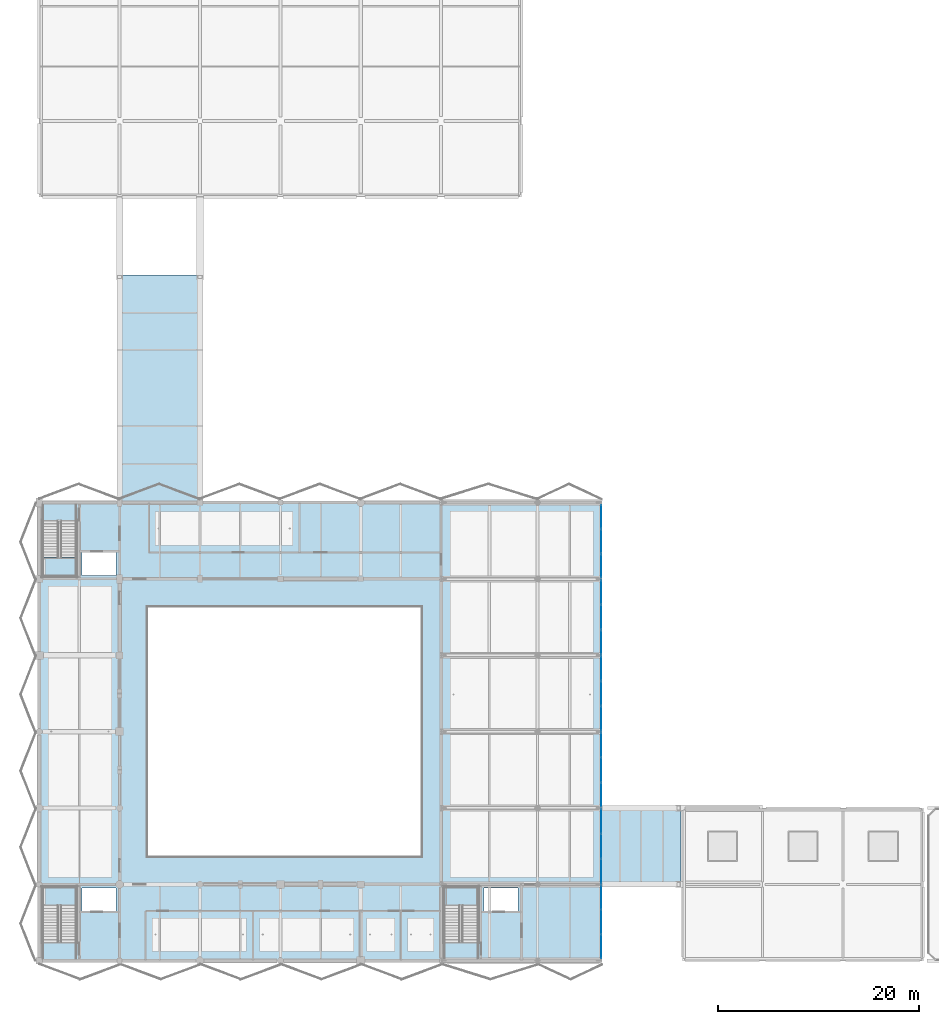
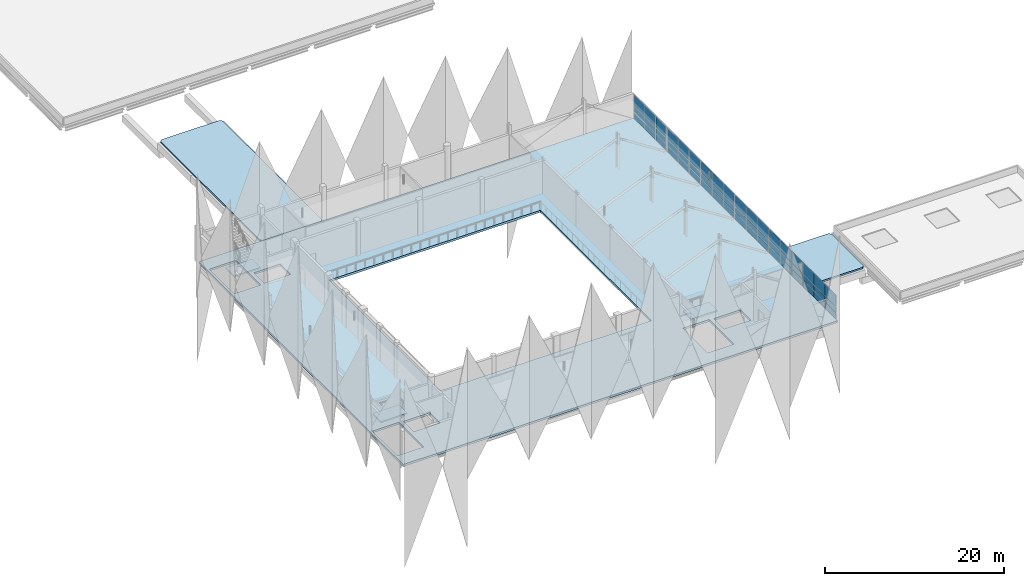
# One storey, part 58 of 107: 54 plates, 6 slabs, 9 elements without a shape of their own.
"""IFC4 building model written with IfcOpenShell, lengths in metres."""

from ifc_helpers import new_model, si_unit, direction, frame, origin, origin_2d, place, context, subcontext, project, spatial, polyline, rectangle, outline, extrude, material, layer, layer_set, type_object, element, aggregate, save


model = new_model("IFC4")

# Units and contexts
model_context = context("Model", 3, precision=1e-05, world=origin(), true_north=direction((0.0, 1.0)))
body_context = subcontext(model_context, "Body", "Model", "MODEL_VIEW")
ifc_project = project(units=[si_unit("LENGTHUNIT", "METRE"), si_unit("AREAUNIT", "SQUARE_METRE"), si_unit("VOLUMEUNIT", "CUBIC_METRE"), si_unit("PLANEANGLEUNIT", "RADIAN"), si_unit("MASSUNIT", "GRAM", prefix="KILO")], contexts=[model_context])

# Site, building, storey
site_placement = place(None, origin())
site = spatial("IfcSite", under=ifc_project, at=site_placement, CompositionType="ELEMENT")
building_placement = place(site_placement, origin())
building = spatial("IfcBuilding", under=site, at=building_placement, Name="Khelvaren Railside Concert Hall", CompositionType="ELEMENT")
storey_placement = place(building_placement, frame((0.0, 0.0, 15.0)))
storey = spatial("IfcBuildingStorey", under=building, at=storey_placement, Name="L03", CompositionType="ELEMENT", Elevation=15.0)

# Curtain wall, plates
ifc_material_1 = material(Name="Double-glazed clear foyer glass", Category="glass")
curtain_wall_type_1 = type_object("IfcCurtainWallType", Name="CW68", PredefinedType="USERDEFINED", material=ifc_material_1)
curtain_wall_1_placement = place(storey_placement, origin())
curtain_wall_1 = element("IfcCurtainWall", 1, at=curtain_wall_1_placement, inside=storey, type_object=curtain_wall_type_1, Name="Unitised Curtain Wall CW-V1-L03-E-15", ObjectType="UNITISED CURTAIN WALL", PredefinedType="USERDEFINED")
ifc_layer_1 = layer(ifc_material_1, 0.0439453125)
ifc_layer_set_1 = layer_set([ifc_layer_1], Name="Double-glazed clear foyer glass")
plate_type_1 = type_object("IfcPlateType", Name="CWP33", PredefinedType="CURTAIN_PANEL", material=ifc_layer_set_1)
plate_1_placement = place(storey_placement, frame((55.93994140625, 21.488037109375, 0.06494140625), z_axis=(0.0, 0.0, 1.0), x_axis=(0.0, -1.0, 0.0)))
plate_1 = element("IfcPlate", 2, at=plate_1_placement, type_object=plate_type_1, Name="CW68 panel 1.1", PredefinedType="CURTAIN_PANEL", context=body_context, shape_type="SweptSolid", body=[
    extrude(rectangle(XDim=2.394287109375, YDim=0.0439453125, at=origin_2d()), origin(), (0.0, 0.0, 1.0), 0.8525390625),
])
plate_2_placement = place(storey_placement, frame((55.93994140625, 21.488037109375, 0.982421875), z_axis=(0.0, 0.0, 1.0), x_axis=(0.0, -1.0, 0.0)))
plate_2 = element("IfcPlate", 3, at=plate_2_placement, type_object=plate_type_1, Name="CW68 panel 1.2", PredefinedType="CURTAIN_PANEL", context=body_context, shape_type="SweptSolid", body=[
    extrude(rectangle(XDim=2.394287109375, YDim=0.0439453125, at=origin_2d()), origin(), (0.0, 0.0, 1.0), 0.763427734375),
])
plate_3_placement = place(storey_placement, frame((55.93994140625, 21.488037109375, 1.81103515625), z_axis=(0.0, 0.0, 1.0), x_axis=(0.0, -1.0, 0.0)))
plate_3 = element("IfcPlate", 4, at=plate_3_placement, type_object=plate_type_1, Name="CW68 panel 1.3", PredefinedType="CURTAIN_PANEL", context=body_context, shape_type="SweptSolid", body=[
    extrude(rectangle(XDim=2.394287109375, YDim=0.0439453125, at=origin_2d()), origin(), (0.0, 0.0, 1.0), 1.544189453125),
])
plate_4_placement = place(storey_placement, frame((55.93994140625, 19.0, 0.06494140625), z_axis=(0.0, 0.0, 1.0), x_axis=(0.0, -1.0, 0.0)))
plate_4 = element("IfcPlate", 5, at=plate_4_placement, type_object=plate_type_1, Name="CW68 panel 2.1", PredefinedType="CURTAIN_PANEL", context=body_context, shape_type="SweptSolid", body=[
    extrude(rectangle(XDim=2.431640625, YDim=0.0439453125, at=origin_2d()), origin(), (0.0, 0.0, 1.0), 0.8525390625),
])
plate_5_placement = place(storey_placement, frame((55.93994140625, 19.0, 0.982421875), z_axis=(0.0, 0.0, 1.0), x_axis=(0.0, -1.0, 0.0)))
plate_5 = element("IfcPlate", 6, at=plate_5_placement, type_object=plate_type_1, Name="CW68 panel 2.2", PredefinedType="CURTAIN_PANEL", context=body_context, shape_type="SweptSolid", body=[
    extrude(rectangle(XDim=2.431640625, YDim=0.0439453125, at=origin_2d()), origin(), (0.0, 0.0, 1.0), 0.763427734375),
])
plate_6_placement = place(storey_placement, frame((55.93994140625, 19.0, 1.81103515625), z_axis=(0.0, 0.0, 1.0), x_axis=(0.0, -1.0, 0.0)))
plate_6 = element("IfcPlate", 7, at=plate_6_placement, type_object=plate_type_1, Name="CW68 panel 2.3", PredefinedType="CURTAIN_PANEL", context=body_context, shape_type="SweptSolid", body=[
    extrude(rectangle(XDim=2.431640625, YDim=0.0439453125, at=origin_2d()), origin(), (0.0, 0.0, 1.0), 1.544189453125),
])
plate_7_placement = place(storey_placement, frame((55.93994140625, 16.511962890625, 0.06494140625), z_axis=(0.0, 0.0, 1.0), x_axis=(0.0, -1.0, 0.0)))
plate_7 = element("IfcPlate", 8, at=plate_7_placement, type_object=plate_type_1, Name="CW68 panel 3.1", PredefinedType="CURTAIN_PANEL", context=body_context, shape_type="SweptSolid", body=[
    extrude(rectangle(XDim=2.394287109375, YDim=0.0439453125, at=origin_2d()), origin(), (0.0, 0.0, 1.0), 0.8525390625),
])
plate_8_placement = place(storey_placement, frame((55.93994140625, 16.511962890625, 0.982421875), z_axis=(0.0, 0.0, 1.0), x_axis=(0.0, -1.0, 0.0)))
plate_8 = element("IfcPlate", 9, at=plate_8_placement, type_object=plate_type_1, Name="CW68 panel 3.2", PredefinedType="CURTAIN_PANEL", context=body_context, shape_type="SweptSolid", body=[
    extrude(rectangle(XDim=2.394287109375, YDim=0.0439453125, at=origin_2d()), origin(), (0.0, 0.0, 1.0), 0.763427734375),
])
plate_9_placement = place(storey_placement, frame((55.93994140625, 16.511962890625, 1.81103515625), z_axis=(0.0, 0.0, 1.0), x_axis=(0.0, -1.0, 0.0)))
plate_9 = element("IfcPlate", 10, at=plate_9_placement, type_object=plate_type_1, Name="CW68 panel 3.3", PredefinedType="CURTAIN_PANEL", context=body_context, shape_type="SweptSolid", body=[
    extrude(rectangle(XDim=2.394287109375, YDim=0.0439453125, at=origin_2d()), origin(), (0.0, 0.0, 1.0), 1.544189453125),
])
aggregate(curtain_wall_1, [plate_1, plate_2, plate_3, plate_4, plate_5, plate_6, plate_7, plate_8, plate_9])

curtain_wall_type_2 = type_object("IfcCurtainWallType", Name="CW70", PredefinedType="USERDEFINED", material=ifc_material_1)
curtain_wall_2_placement = place(storey_placement, origin())
curtain_wall_2 = element("IfcCurtainWall", 11, at=curtain_wall_2_placement, inside=storey, type_object=curtain_wall_type_2, Name="Unitised Curtain Wall CW-V1-L03-E-23", ObjectType="UNITISED CURTAIN WALL", PredefinedType="USERDEFINED")
plate_10_placement = place(storey_placement, frame((55.93994140625, 29.087890625, 0.06494140625), z_axis=(0.0, 0.0, 1.0), x_axis=(0.0, -1.0, 0.0)))
plate_10 = element("IfcPlate", 12, at=plate_10_placement, type_object=plate_type_1, Name="CW70 panel 1.1", PredefinedType="CURTAIN_PANEL", context=body_context, shape_type="SweptSolid", body=[
    extrude(rectangle(XDim=2.394287109375, YDim=0.0439453125, at=origin_2d()), origin(), (0.0, 0.0, 1.0), 0.8525390625),
])
plate_11_placement = place(storey_placement, frame((55.93994140625, 29.087890625, 0.982421875), z_axis=(0.0, 0.0, 1.0), x_axis=(0.0, -1.0, 0.0)))
plate_11 = element("IfcPlate", 13, at=plate_11_placement, type_object=plate_type_1, Name="CW70 panel 1.2", PredefinedType="CURTAIN_PANEL", context=body_context, shape_type="SweptSolid", body=[
    extrude(rectangle(XDim=2.394287109375, YDim=0.0439453125, at=origin_2d()), origin(), (0.0, 0.0, 1.0), 0.763427734375),
])
plate_12_placement = place(storey_placement, frame((55.93994140625, 29.087890625, 1.81103515625), z_axis=(0.0, 0.0, 1.0), x_axis=(0.0, -1.0, 0.0)))
plate_12 = element("IfcPlate", 14, at=plate_12_placement, type_object=plate_type_1, Name="CW70 panel 1.3", PredefinedType="CURTAIN_PANEL", context=body_context, shape_type="SweptSolid", body=[
    extrude(rectangle(XDim=2.394287109375, YDim=0.0439453125, at=origin_2d()), origin(), (0.0, 0.0, 1.0), 1.544189453125),
])
plate_13_placement = place(storey_placement, frame((55.93994140625, 26.60009765625, 0.06494140625), z_axis=(0.0, 0.0, 1.0), x_axis=(0.0, -1.0, 0.0)))
plate_13 = element("IfcPlate", 15, at=plate_13_placement, type_object=plate_type_1, Name="CW70 panel 2.1", PredefinedType="CURTAIN_PANEL", context=body_context, shape_type="SweptSolid", body=[
    extrude(rectangle(XDim=2.431640625, YDim=0.0439453125, at=origin_2d()), origin(), (0.0, 0.0, 1.0), 0.8525390625),
])
plate_14_placement = place(storey_placement, frame((55.93994140625, 26.60009765625, 0.982421875), z_axis=(0.0, 0.0, 1.0), x_axis=(0.0, -1.0, 0.0)))
plate_14 = element("IfcPlate", 16, at=plate_14_placement, type_object=plate_type_1, Name="CW70 panel 2.2", PredefinedType="CURTAIN_PANEL", context=body_context, shape_type="SweptSolid", body=[
    extrude(rectangle(XDim=2.431640625, YDim=0.0439453125, at=origin_2d()), origin(), (0.0, 0.0, 1.0), 0.763427734375),
])
plate_15_placement = place(storey_placement, frame((55.93994140625, 26.60009765625, 1.81103515625), z_axis=(0.0, 0.0, 1.0), x_axis=(0.0, -1.0, 0.0)))
plate_15 = element("IfcPlate", 17, at=plate_15_placement, type_object=plate_type_1, Name="CW70 panel 2.3", PredefinedType="CURTAIN_PANEL", context=body_context, shape_type="SweptSolid", body=[
    extrude(rectangle(XDim=2.431640625, YDim=0.0439453125, at=origin_2d()), origin(), (0.0, 0.0, 1.0), 1.544189453125),
])
plate_16_placement = place(storey_placement, frame((55.93994140625, 24.112060546875, 0.06494140625), z_axis=(0.0, 0.0, 1.0), x_axis=(0.0, -1.0, 0.0)))
plate_16 = element("IfcPlate", 18, at=plate_16_placement, type_object=plate_type_1, Name="CW70 panel 3.1", PredefinedType="CURTAIN_PANEL", context=body_context, shape_type="SweptSolid", body=[
    extrude(rectangle(XDim=2.394287109375, YDim=0.0439453125, at=origin_2d()), origin(), (0.0, 0.0, 1.0), 0.8525390625),
])
plate_17_placement = place(storey_placement, frame((55.93994140625, 24.112060546875, 0.982421875), z_axis=(0.0, 0.0, 1.0), x_axis=(0.0, -1.0, 0.0)))
plate_17 = element("IfcPlate", 19, at=plate_17_placement, type_object=plate_type_1, Name="CW70 panel 3.2", PredefinedType="CURTAIN_PANEL", context=body_context, shape_type="SweptSolid", body=[
    extrude(rectangle(XDim=2.394287109375, YDim=0.0439453125, at=origin_2d()), origin(), (0.0, 0.0, 1.0), 0.763427734375),
])
plate_18_placement = place(storey_placement, frame((55.93994140625, 24.112060546875, 1.81103515625), z_axis=(0.0, 0.0, 1.0), x_axis=(0.0, -1.0, 0.0)))
plate_18 = element("IfcPlate", 20, at=plate_18_placement, type_object=plate_type_1, Name="CW70 panel 3.3", PredefinedType="CURTAIN_PANEL", context=body_context, shape_type="SweptSolid", body=[
    extrude(rectangle(XDim=2.394287109375, YDim=0.0439453125, at=origin_2d()), origin(), (0.0, 0.0, 1.0), 1.544189453125),
])
aggregate(curtain_wall_2, [plate_10, plate_11, plate_12, plate_13, plate_14, plate_15, plate_16, plate_17, plate_18])

ifc_material_2 = material(Name="Acoustic laminated crystal facade glass", Category="glass")
curtain_wall_type_3 = type_object("IfcCurtainWallType", Name="CW21", PredefinedType="USERDEFINED", material=ifc_material_2)
curtain_wall_3_placement = place(storey_placement, origin())
curtain_wall_3 = element("IfcCurtainWall", 21, at=curtain_wall_3_placement, inside=storey, type_object=curtain_wall_type_3, Name="Unitised Curtain Wall CW-V1-L03-E-30", ObjectType="UNITISED CURTAIN WALL", PredefinedType="USERDEFINED")
ifc_layer_2 = layer(ifc_material_2, 0.0400390625)
ifc_layer_set_2 = layer_set([ifc_layer_2], Name="Acoustic laminated crystal facade glass")
plate_type_2 = type_object("IfcPlateType", Name="CWP77", PredefinedType="CURTAIN_PANEL", material=ifc_layer_set_2)
plate_19_placement = place(storey_placement, frame((55.93994140625, 36.685302734375, 0.0849609375), z_axis=(0.0, 0.0, 1.0), x_axis=(0.0, -1.0, 0.0)))
plate_19 = element("IfcPlate", 22, at=plate_19_placement, type_object=plate_type_2, Name="CW21 panel 1.1", PredefinedType="CURTAIN_PANEL", context=body_context, shape_type="SweptSolid", body=[
    extrude(rectangle(XDim=2.379150390625, YDim=0.0400390625, at=origin_2d()), origin(), (0.0, 0.0, 1.0), 0.822509765625),
])
plate_20_placement = place(storey_placement, frame((55.93994140625, 36.685302734375, 0.99267578125), z_axis=(0.0, 0.0, 1.0), x_axis=(0.0, -1.0, 0.0)))
plate_20 = element("IfcPlate", 23, at=plate_20_placement, type_object=plate_type_2, Name="CW21 panel 1.2", PredefinedType="CURTAIN_PANEL", context=body_context, shape_type="SweptSolid", body=[
    extrude(rectangle(XDim=2.379150390625, YDim=0.0400390625, at=origin_2d()), origin(), (0.0, 0.0, 1.0), 0.743408203125),
])
plate_21_placement = place(storey_placement, frame((55.93994140625, 36.685302734375, 1.82080078125), z_axis=(0.0, 0.0, 1.0), x_axis=(0.0, -1.0, 0.0)))
plate_21 = element("IfcPlate", 24, at=plate_21_placement, type_object=plate_type_2, Name="CW21 panel 1.3", PredefinedType="CURTAIN_PANEL", context=body_context, shape_type="SweptSolid", body=[
    extrude(rectangle(XDim=2.379150390625, YDim=0.0400390625, at=origin_2d()), origin(), (0.0, 0.0, 1.0), 1.51416015625),
])
plate_22_placement = place(storey_placement, frame((55.93994140625, 34.199951171875, 0.0849609375), z_axis=(0.0, 0.0, 1.0), x_axis=(0.0, -1.0, 0.0)))
plate_22 = element("IfcPlate", 25, at=plate_22_placement, type_object=plate_type_2, Name="CW21 panel 2.1", PredefinedType="CURTAIN_PANEL", context=body_context, shape_type="SweptSolid", body=[
    extrude(rectangle(XDim=2.421630859375, YDim=0.0400390625, at=origin_2d()), origin(), (0.0, 0.0, 1.0), 0.822509765625),
])
plate_23_placement = place(storey_placement, frame((55.93994140625, 34.199951171875, 0.99267578125), z_axis=(0.0, 0.0, 1.0), x_axis=(0.0, -1.0, 0.0)))
plate_23 = element("IfcPlate", 26, at=plate_23_placement, type_object=plate_type_2, Name="CW21 panel 2.2", PredefinedType="CURTAIN_PANEL", context=body_context, shape_type="SweptSolid", body=[
    extrude(rectangle(XDim=2.421630859375, YDim=0.0400390625, at=origin_2d()), origin(), (0.0, 0.0, 1.0), 0.743408203125),
])
plate_24_placement = place(storey_placement, frame((55.93994140625, 34.199951171875, 1.82080078125), z_axis=(0.0, 0.0, 1.0), x_axis=(0.0, -1.0, 0.0)))
plate_24 = element("IfcPlate", 27, at=plate_24_placement, type_object=plate_type_2, Name="CW21 panel 2.3", PredefinedType="CURTAIN_PANEL", context=body_context, shape_type="SweptSolid", body=[
    extrude(rectangle(XDim=2.421630859375, YDim=0.0400390625, at=origin_2d()), origin(), (0.0, 0.0, 1.0), 1.51416015625),
])
plate_25_placement = place(storey_placement, frame((55.93994140625, 31.714599609375, 0.0849609375), z_axis=(0.0, 0.0, 1.0), x_axis=(0.0, -1.0, 0.0)))
plate_25 = element("IfcPlate", 28, at=plate_25_placement, type_object=plate_type_2, Name="CW21 panel 3.1", PredefinedType="CURTAIN_PANEL", context=body_context, shape_type="SweptSolid", body=[
    extrude(rectangle(XDim=2.379150390625, YDim=0.0400390625, at=origin_2d()), origin(), (0.0, 0.0, 1.0), 0.822509765625),
])
plate_26_placement = place(storey_placement, frame((55.93994140625, 31.714599609375, 0.99267578125), z_axis=(0.0, 0.0, 1.0), x_axis=(0.0, -1.0, 0.0)))
plate_26 = element("IfcPlate", 29, at=plate_26_placement, type_object=plate_type_2, Name="CW21 panel 3.2", PredefinedType="CURTAIN_PANEL", context=body_context, shape_type="SweptSolid", body=[
    extrude(rectangle(XDim=2.379150390625, YDim=0.0400390625, at=origin_2d()), origin(), (0.0, 0.0, 1.0), 0.743408203125),
])
plate_27_placement = place(storey_placement, frame((55.93994140625, 31.714599609375, 1.82080078125), z_axis=(0.0, 0.0, 1.0), x_axis=(0.0, -1.0, 0.0)))
plate_27 = element("IfcPlate", 30, at=plate_27_placement, type_object=plate_type_2, Name="CW21 panel 3.3", PredefinedType="CURTAIN_PANEL", context=body_context, shape_type="SweptSolid", body=[
    extrude(rectangle(XDim=2.379150390625, YDim=0.0400390625, at=origin_2d()), origin(), (0.0, 0.0, 1.0), 1.51416015625),
])
aggregate(curtain_wall_3, [plate_19, plate_20, plate_21, plate_22, plate_23, plate_24, plate_25, plate_26, plate_27])

curtain_wall_type_4 = type_object("IfcCurtainWallType", Name="CW15", PredefinedType="USERDEFINED", material=ifc_material_2)
curtain_wall_4_placement = place(storey_placement, origin())
curtain_wall_4 = element("IfcCurtainWall", 31, at=curtain_wall_4_placement, inside=storey, type_object=curtain_wall_type_4, Name="Unitised Curtain Wall CW-V1-L03-E-38", ObjectType="UNITISED CURTAIN WALL", PredefinedType="USERDEFINED")
plate_28_placement = place(storey_placement, frame((55.93994140625, 44.185302734375, 0.0849609375), z_axis=(0.0, 0.0, 1.0), x_axis=(0.0, -1.0, 0.0)))
plate_28 = element("IfcPlate", 32, at=plate_28_placement, type_object=plate_type_2, Name="CW15 panel 1.1", PredefinedType="CURTAIN_PANEL", context=body_context, shape_type="SweptSolid", body=[
    extrude(rectangle(XDim=2.339111328125, YDim=0.0400390625, at=origin_2d()), origin(), (0.0, 0.0, 1.0), 0.822509765625),
])
plate_29_placement = place(storey_placement, frame((55.93994140625, 44.185302734375, 0.99267578125), z_axis=(0.0, 0.0, 1.0), x_axis=(0.0, -1.0, 0.0)))
plate_29 = element("IfcPlate", 33, at=plate_29_placement, type_object=plate_type_2, Name="CW15 panel 1.2", PredefinedType="CURTAIN_PANEL", context=body_context, shape_type="SweptSolid", body=[
    extrude(rectangle(XDim=2.339111328125, YDim=0.0400390625, at=origin_2d()), origin(), (0.0, 0.0, 1.0), 0.743408203125),
])
plate_30_placement = place(storey_placement, frame((55.93994140625, 44.185302734375, 1.82080078125), z_axis=(0.0, 0.0, 1.0), x_axis=(0.0, -1.0, 0.0)))
plate_30 = element("IfcPlate", 34, at=plate_30_placement, type_object=plate_type_2, Name="CW15 panel 1.3", PredefinedType="CURTAIN_PANEL", context=body_context, shape_type="SweptSolid", body=[
    extrude(rectangle(XDim=2.339111328125, YDim=0.0400390625, at=origin_2d()), origin(), (0.0, 0.0, 1.0), 1.51416015625),
])
plate_31_placement = place(storey_placement, frame((55.93994140625, 41.739990234375, 0.0849609375), z_axis=(0.0, 0.0, 1.0), x_axis=(0.0, -1.0, 0.0)))
plate_31 = element("IfcPlate", 35, at=plate_31_placement, type_object=plate_type_2, Name="CW15 panel 2.1", PredefinedType="CURTAIN_PANEL", context=body_context, shape_type="SweptSolid", body=[
    extrude(rectangle(XDim=2.381591796875, YDim=0.0400390625, at=origin_2d()), origin(), (0.0, 0.0, 1.0), 0.822509765625),
])
plate_32_placement = place(storey_placement, frame((55.93994140625, 41.739990234375, 0.99267578125), z_axis=(0.0, 0.0, 1.0), x_axis=(0.0, -1.0, 0.0)))
plate_32 = element("IfcPlate", 36, at=plate_32_placement, type_object=plate_type_2, Name="CW15 panel 2.2", PredefinedType="CURTAIN_PANEL", context=body_context, shape_type="SweptSolid", body=[
    extrude(rectangle(XDim=2.381591796875, YDim=0.0400390625, at=origin_2d()), origin(), (0.0, 0.0, 1.0), 0.743408203125),
])
plate_33_placement = place(storey_placement, frame((55.93994140625, 41.739990234375, 1.82080078125), z_axis=(0.0, 0.0, 1.0), x_axis=(0.0, -1.0, 0.0)))
plate_33 = element("IfcPlate", 37, at=plate_33_placement, type_object=plate_type_2, Name="CW15 panel 2.3", PredefinedType="CURTAIN_PANEL", context=body_context, shape_type="SweptSolid", body=[
    extrude(rectangle(XDim=2.381591796875, YDim=0.0400390625, at=origin_2d()), origin(), (0.0, 0.0, 1.0), 1.51416015625),
])
plate_34_placement = place(storey_placement, frame((55.93994140625, 39.294677734375, 0.0849609375), z_axis=(0.0, 0.0, 1.0), x_axis=(0.0, -1.0, 0.0)))
plate_34 = element("IfcPlate", 38, at=plate_34_placement, type_object=plate_type_2, Name="CW15 panel 3.1", PredefinedType="CURTAIN_PANEL", context=body_context, shape_type="SweptSolid", body=[
    extrude(rectangle(XDim=2.339111328125, YDim=0.0400390625, at=origin_2d()), origin(), (0.0, 0.0, 1.0), 0.822509765625),
])
plate_35_placement = place(storey_placement, frame((55.93994140625, 39.294677734375, 0.99267578125), z_axis=(0.0, 0.0, 1.0), x_axis=(0.0, -1.0, 0.0)))
plate_35 = element("IfcPlate", 39, at=plate_35_placement, type_object=plate_type_2, Name="CW15 panel 3.2", PredefinedType="CURTAIN_PANEL", context=body_context, shape_type="SweptSolid", body=[
    extrude(rectangle(XDim=2.339111328125, YDim=0.0400390625, at=origin_2d()), origin(), (0.0, 0.0, 1.0), 0.743408203125),
])
plate_36_placement = place(storey_placement, frame((55.93994140625, 39.294677734375, 1.82080078125), z_axis=(0.0, 0.0, 1.0), x_axis=(0.0, -1.0, 0.0)))
plate_36 = element("IfcPlate", 40, at=plate_36_placement, type_object=plate_type_2, Name="CW15 panel 3.3", PredefinedType="CURTAIN_PANEL", context=body_context, shape_type="SweptSolid", body=[
    extrude(rectangle(XDim=2.339111328125, YDim=0.0400390625, at=origin_2d()), origin(), (0.0, 0.0, 1.0), 1.51416015625),
])
aggregate(curtain_wall_4, [plate_28, plate_29, plate_30, plate_31, plate_32, plate_33, plate_34, plate_35, plate_36])

ifc_material_3 = material(Name="Double-glazed low-E dark acoustic glass", Category="glass")
curtain_wall_type_5 = type_object("IfcCurtainWallType", Name="CW94", PredefinedType="USERDEFINED", material=ifc_material_3)
curtain_wall_5_placement = place(storey_placement, origin())
curtain_wall_5 = element("IfcCurtainWall", 41, at=curtain_wall_5_placement, inside=storey, type_object=curtain_wall_type_5, Name="Unitised Curtain Wall CW-V1-L03-E-0", ObjectType="UNITISED CURTAIN WALL", PredefinedType="USERDEFINED")
ifc_layer_3 = layer(ifc_material_3, 0.031982421875)
ifc_layer_set_3 = layer_set([ifc_layer_3], Name="Double-glazed low-E dark acoustic glass")
plate_type_3 = type_object("IfcPlateType", Name="CWP84", PredefinedType="CURTAIN_PANEL", material=ifc_layer_set_3)
plate_37_placement = place(storey_placement, frame((55.93994140625, 6.310302734375, 0.06494140625), z_axis=(0.0, 0.0, 1.0), x_axis=(0.0, -1.0, 0.0)))
plate_37 = element("IfcPlate", 42, at=plate_37_placement, type_object=plate_type_3, Name="CW94 panel 1.1", PredefinedType="CURTAIN_PANEL", context=body_context, shape_type="SweptSolid", body=[
    extrude(rectangle(XDim=2.369140625, YDim=0.031982421875, at=origin_2d()), origin(), (0.0, 0.0, 1.0), 0.8525390625),
])
plate_38_placement = place(storey_placement, frame((55.93994140625, 6.310302734375, 0.982421875), z_axis=(0.0, 0.0, 1.0), x_axis=(0.0, -1.0, 0.0)))
plate_38 = element("IfcPlate", 43, at=plate_38_placement, type_object=plate_type_3, Name="CW94 panel 1.2", PredefinedType="CURTAIN_PANEL", context=body_context, shape_type="SweptSolid", body=[
    extrude(rectangle(XDim=2.369140625, YDim=0.031982421875, at=origin_2d()), origin(), (0.0, 0.0, 1.0), 0.763427734375),
])
plate_39_placement = place(storey_placement, frame((55.93994140625, 6.310302734375, 1.81103515625), z_axis=(0.0, 0.0, 1.0), x_axis=(0.0, -1.0, 0.0)))
plate_39 = element("IfcPlate", 44, at=plate_39_placement, type_object=plate_type_3, Name="CW94 panel 1.3", PredefinedType="CURTAIN_PANEL", context=body_context, shape_type="SweptSolid", body=[
    extrude(rectangle(XDim=2.369140625, YDim=0.031982421875, at=origin_2d()), origin(), (0.0, 0.0, 1.0), 1.544189453125),
])
plate_40_placement = place(storey_placement, frame((55.93994140625, 3.860107421875, 0.06494140625), z_axis=(0.0, 0.0, 1.0), x_axis=(0.0, -1.0, 0.0)))
plate_40 = element("IfcPlate", 45, at=plate_40_placement, type_object=plate_type_3, Name="CW94 panel 2.1", PredefinedType="CURTAIN_PANEL", context=body_context, shape_type="SweptSolid", body=[
    extrude(rectangle(XDim=2.401611328125, YDim=0.031982421875, at=origin_2d()), origin(), (0.0, 0.0, 1.0), 0.8525390625),
])
plate_41_placement = place(storey_placement, frame((55.93994140625, 3.860107421875, 0.982421875), z_axis=(0.0, 0.0, 1.0), x_axis=(0.0, -1.0, 0.0)))
plate_41 = element("IfcPlate", 46, at=plate_41_placement, type_object=plate_type_3, Name="CW94 panel 2.2", PredefinedType="CURTAIN_PANEL", context=body_context, shape_type="SweptSolid", body=[
    extrude(rectangle(XDim=2.401611328125, YDim=0.031982421875, at=origin_2d()), origin(), (0.0, 0.0, 1.0), 0.763427734375),
])
plate_42_placement = place(storey_placement, frame((55.93994140625, 3.860107421875, 1.81103515625), z_axis=(0.0, 0.0, 1.0), x_axis=(0.0, -1.0, 0.0)))
plate_42 = element("IfcPlate", 47, at=plate_42_placement, type_object=plate_type_3, Name="CW94 panel 2.3", PredefinedType="CURTAIN_PANEL", context=body_context, shape_type="SweptSolid", body=[
    extrude(rectangle(XDim=2.401611328125, YDim=0.031982421875, at=origin_2d()), origin(), (0.0, 0.0, 1.0), 1.544189453125),
])
plate_43_placement = place(storey_placement, frame((55.93994140625, 1.40966796875, 0.06494140625), z_axis=(0.0, 0.0, 1.0), x_axis=(0.0, -1.0, 0.0)))
plate_43 = element("IfcPlate", 48, at=plate_43_placement, type_object=plate_type_3, Name="CW94 panel 3.1", PredefinedType="CURTAIN_PANEL", context=body_context, shape_type="SweptSolid", body=[
    extrude(rectangle(XDim=2.369140625, YDim=0.031982421875, at=origin_2d()), origin(), (0.0, 0.0, 1.0), 0.8525390625),
])
plate_44_placement = place(storey_placement, frame((55.93994140625, 1.40966796875, 0.982421875), z_axis=(0.0, 0.0, 1.0), x_axis=(0.0, -1.0, 0.0)))
plate_44 = element("IfcPlate", 49, at=plate_44_placement, type_object=plate_type_3, Name="CW94 panel 3.2", PredefinedType="CURTAIN_PANEL", context=body_context, shape_type="SweptSolid", body=[
    extrude(rectangle(XDim=2.369140625, YDim=0.031982421875, at=origin_2d()), origin(), (0.0, 0.0, 1.0), 0.763427734375),
])
plate_45_placement = place(storey_placement, frame((55.93994140625, 1.40966796875, 1.81103515625), z_axis=(0.0, 0.0, 1.0), x_axis=(0.0, -1.0, 0.0)))
plate_45 = element("IfcPlate", 50, at=plate_45_placement, type_object=plate_type_3, Name="CW94 panel 3.3", PredefinedType="CURTAIN_PANEL", context=body_context, shape_type="SweptSolid", body=[
    extrude(rectangle(XDim=2.369140625, YDim=0.031982421875, at=origin_2d()), origin(), (0.0, 0.0, 1.0), 1.544189453125),
])
aggregate(curtain_wall_5, [plate_37, plate_38, plate_39, plate_40, plate_41, plate_42, plate_43, plate_44, plate_45])

curtain_wall_type_6 = type_object("IfcCurtainWallType", Name="CW65", PredefinedType="USERDEFINED", material=ifc_material_3)
curtain_wall_6_placement = place(storey_placement, origin())
curtain_wall_6 = element("IfcCurtainWall", 51, at=curtain_wall_6_placement, inside=storey, type_object=curtain_wall_type_6, Name="Unitised Curtain Wall CW-V1-L03-E-8", ObjectType="UNITISED CURTAIN WALL", PredefinedType="USERDEFINED")
plate_46_placement = place(storey_placement, frame((55.93994140625, 13.890380859375, 0.06494140625), z_axis=(0.0, 0.0, 1.0), x_axis=(0.0, -1.0, 0.0)))
plate_46 = element("IfcPlate", 52, at=plate_46_placement, type_object=plate_type_3, Name="CW65 panel 1.1", PredefinedType="CURTAIN_PANEL", context=body_context, shape_type="SweptSolid", body=[
    extrude(rectangle(XDim=2.4091796875, YDim=0.031982421875, at=origin_2d()), origin(), (0.0, 0.0, 1.0), 0.8525390625),
])
plate_47_placement = place(storey_placement, frame((55.93994140625, 13.890380859375, 0.982421875), z_axis=(0.0, 0.0, 1.0), x_axis=(0.0, -1.0, 0.0)))
plate_47 = element("IfcPlate", 53, at=plate_47_placement, type_object=plate_type_3, Name="CW65 panel 1.2", PredefinedType="CURTAIN_PANEL", context=body_context, shape_type="SweptSolid", body=[
    extrude(rectangle(XDim=2.4091796875, YDim=0.031982421875, at=origin_2d()), origin(), (0.0, 0.0, 1.0), 0.763427734375),
])
plate_48_placement = place(storey_placement, frame((55.93994140625, 13.890380859375, 1.81103515625), z_axis=(0.0, 0.0, 1.0), x_axis=(0.0, -1.0, 0.0)))
plate_48 = element("IfcPlate", 54, at=plate_48_placement, type_object=plate_type_3, Name="CW65 panel 1.3", PredefinedType="CURTAIN_PANEL", context=body_context, shape_type="SweptSolid", body=[
    extrude(rectangle(XDim=2.4091796875, YDim=0.031982421875, at=origin_2d()), origin(), (0.0, 0.0, 1.0), 1.544189453125),
])
plate_49_placement = place(storey_placement, frame((55.93994140625, 11.39990234375, 0.06494140625), z_axis=(0.0, 0.0, 1.0), x_axis=(0.0, -1.0, 0.0)))
plate_49 = element("IfcPlate", 55, at=plate_49_placement, type_object=plate_type_3, Name="CW65 panel 2.1", PredefinedType="CURTAIN_PANEL", context=body_context, shape_type="SweptSolid", body=[
    extrude(rectangle(XDim=2.441650390625, YDim=0.031982421875, at=origin_2d()), origin(), (0.0, 0.0, 1.0), 0.8525390625),
])
plate_50_placement = place(storey_placement, frame((55.93994140625, 11.39990234375, 0.982421875), z_axis=(0.0, 0.0, 1.0), x_axis=(0.0, -1.0, 0.0)))
plate_50 = element("IfcPlate", 56, at=plate_50_placement, type_object=plate_type_3, Name="CW65 panel 2.2", PredefinedType="CURTAIN_PANEL", context=body_context, shape_type="SweptSolid", body=[
    extrude(rectangle(XDim=2.441650390625, YDim=0.031982421875, at=origin_2d()), origin(), (0.0, 0.0, 1.0), 0.763427734375),
])
plate_51_placement = place(storey_placement, frame((55.93994140625, 11.39990234375, 1.81103515625), z_axis=(0.0, 0.0, 1.0), x_axis=(0.0, -1.0, 0.0)))
plate_51 = element("IfcPlate", 57, at=plate_51_placement, type_object=plate_type_3, Name="CW65 panel 2.3", PredefinedType="CURTAIN_PANEL", context=body_context, shape_type="SweptSolid", body=[
    extrude(rectangle(XDim=2.441650390625, YDim=0.031982421875, at=origin_2d()), origin(), (0.0, 0.0, 1.0), 1.544189453125),
])
plate_52_placement = place(storey_placement, frame((55.93994140625, 8.90966796875, 0.06494140625), z_axis=(0.0, 0.0, 1.0), x_axis=(0.0, -1.0, 0.0)))
plate_52 = element("IfcPlate", 58, at=plate_52_placement, type_object=plate_type_3, Name="CW65 panel 3.1", PredefinedType="CURTAIN_PANEL", context=body_context, shape_type="SweptSolid", body=[
    extrude(rectangle(XDim=2.4091796875, YDim=0.031982421875, at=origin_2d()), origin(), (0.0, 0.0, 1.0), 0.8525390625),
])
plate_53_placement = place(storey_placement, frame((55.93994140625, 8.90966796875, 0.982421875), z_axis=(0.0, 0.0, 1.0), x_axis=(0.0, -1.0, 0.0)))
plate_53 = element("IfcPlate", 59, at=plate_53_placement, type_object=plate_type_3, Name="CW65 panel 3.2", PredefinedType="CURTAIN_PANEL", context=body_context, shape_type="SweptSolid", body=[
    extrude(rectangle(XDim=2.4091796875, YDim=0.031982421875, at=origin_2d()), origin(), (0.0, 0.0, 1.0), 0.763427734375),
])
plate_54_placement = place(storey_placement, frame((55.93994140625, 8.90966796875, 1.81103515625), z_axis=(0.0, 0.0, 1.0), x_axis=(0.0, -1.0, 0.0)))
plate_54 = element("IfcPlate", 60, at=plate_54_placement, type_object=plate_type_3, Name="CW65 panel 3.3", PredefinedType="CURTAIN_PANEL", context=body_context, shape_type="SweptSolid", body=[
    extrude(rectangle(XDim=2.4091796875, YDim=0.031982421875, at=origin_2d()), origin(), (0.0, 0.0, 1.0), 1.544189453125),
])
aggregate(curtain_wall_6, [plate_46, plate_47, plate_48, plate_49, plate_50, plate_51, plate_52, plate_53, plate_54])

# Slab
ifc_material_4 = material(Name="Concrete C40/50", Category="concrete")
ifc_layer_4 = layer(ifc_material_4, 0.280029296875)
ifc_layer_set_4 = layer_set([ifc_layer_4], Name="Concrete C40/50")
slab_type_1 = type_object("IfcSlabType", Name="FS18", PredefinedType="FLOOR", material=ifc_layer_set_4)
slab_1_placement = place(storey_placement, frame((0.0, 0.0, -0.280029296875)))
element("IfcSlab", 61, at=slab_1_placement, inside=storey, type_object=slab_type_1, Name="V1 L03 Structural Floor Slab", PredefinedType="FLOOR", context=body_context, shape_type="SweptSolid", body=[
    extrude(outline(polyline([(0.0, 0.0), (56.0, 0.0), (56.0, 45.60009765625), (0.0, 45.60009765625), (0.0, 0.0)]), holes=[polyline([(3.699951171875, 1.840087890625), (3.699951171875, 7.360107421875), (0.300048828125, 7.360107421875), (0.300048828125, 1.840087890625), (3.699951171875, 1.840087890625)]), polyline([(4.25, 4.949951171875), (7.64990234375, 4.949951171875), (7.64990234375, 7.25), (4.25, 7.25), (4.25, 4.949951171875)]), polyline([(43.699951171875, 1.840087890625), (43.699951171875, 7.360107421875), (40.300048828125, 7.360107421875), (40.300048828125, 1.840087890625), (43.699951171875, 1.840087890625)]), polyline([(44.25, 4.949951171875), (47.64990234375, 4.949951171875), (47.64990234375, 7.25), (44.25, 7.25), (44.25, 4.949951171875)]), polyline([(0.300048828125, 43.760009765625), (0.300048828125, 38.239990234375), (3.699951171875, 38.239990234375), (3.699951171875, 43.760009765625), (0.300048828125, 43.760009765625)]), polyline([(4.25, 38.35009765625), (7.64990234375, 38.35009765625), (7.64990234375, 40.64990234375), (4.25, 40.64990234375), (4.25, 38.35009765625)]), polyline([(10.800048828125, 10.39990234375), (38.0, 10.39990234375), (38.0, 35.199951171875), (10.800048828125, 35.199951171875), (10.800048828125, 10.39990234375)])]), origin(), (0.0, 0.0, 1.0), 0.280029296875),
])

# Stair, slab
stair_type = type_object("IfcStairType", Name="ST52", PredefinedType="HALF_TURN_STAIR", material=ifc_material_4)
stair_1_placement = place(storey_placement, origin())
stair_1 = element("IfcStair", 62, at=stair_1_placement, inside=storey, type_object=stair_type, Name="L03 Core Exit Stair ST-01", PredefinedType="HALF_TURN_STAIR")
ifc_layer_5 = layer(ifc_material_4, 0.199951171875)
ifc_layer_set_5 = layer_set([ifc_layer_5], Name="Concrete C40/50")
slab_type_2 = type_object("IfcSlabType", Name="LND67", PredefinedType="LANDING", material=ifc_layer_set_5)
slab_2_placement = place(storey_placement, frame((0.0, 0.0, 2.199951171875)))
slab_2 = element("IfcSlab", 63, at=slab_2_placement, type_object=slab_type_2, Name="ST-01 landing 1", PredefinedType="LANDING", context=body_context, shape_type="SweptSolid", body=[
    extrude(outline(polyline([(3.699951171875, 5.47998046875), (3.699951171875, 7.360107421875), (0.300048828125, 7.360107421875), (0.300048828125, 5.47998046875), (3.699951171875, 5.47998046875)])), origin(), (0.0, 0.0, 1.0), 0.199951171875),
])
aggregate(stair_1, [slab_2])

stair_2_placement = place(storey_placement, origin())
stair_2 = element("IfcStair", 64, at=stair_2_placement, inside=storey, type_object=stair_type, Name="L03 Core Exit Stair ST-02", PredefinedType="HALF_TURN_STAIR")
slab_3_placement = place(storey_placement, frame((0.0, 0.0, 2.199951171875)))
slab_3 = element("IfcSlab", 65, at=slab_3_placement, type_object=slab_type_2, Name="ST-02 landing 1", PredefinedType="LANDING", context=body_context, shape_type="SweptSolid", body=[
    extrude(outline(polyline([(43.699951171875, 5.47998046875), (43.699951171875, 7.360107421875), (40.300048828125, 7.360107421875), (40.300048828125, 5.47998046875), (43.699951171875, 5.47998046875)])), origin(), (0.0, 0.0, 1.0), 0.199951171875),
])
aggregate(stair_2, [slab_3])

stair_3_placement = place(storey_placement, origin())
stair_3 = element("IfcStair", 66, at=stair_3_placement, inside=storey, type_object=stair_type, Name="L03 Core Exit Stair ST-11", PredefinedType="HALF_TURN_STAIR")
slab_4_placement = place(storey_placement, frame((0.0, 0.0, 2.199951171875)))
slab_4 = element("IfcSlab", 67, at=slab_4_placement, type_object=slab_type_2, Name="ST-11 landing 1", PredefinedType="LANDING", context=body_context, shape_type="SweptSolid", body=[
    extrude(outline(polyline([(0.300048828125, 40.1201171875), (0.300048828125, 38.239990234375), (3.699951171875, 38.239990234375), (3.699951171875, 40.1201171875), (0.300048828125, 40.1201171875)])), origin(), (0.0, 0.0, 1.0), 0.199951171875),
])
aggregate(stair_3, [slab_4])

# Slabs
ifc_layer_6 = layer(ifc_material_4, 0.219970703125)
ifc_layer_set_6 = layer_set([ifc_layer_6], Name="Concrete C40/50")
slab_type_3 = type_object("IfcSlabType", Name="RS43", PredefinedType="ROOF", material=ifc_layer_set_6)
slab_5_placement = place(storey_placement, frame((0.0, 0.0, -0.219970703125)))
element("IfcSlab", 68, at=slab_5_placement, inside=storey, type_object=slab_type_3, Name="West Promenade Link Bridge L03 Roof Slab", PredefinedType="ROOF", context=body_context, shape_type="SweptSolid", body=[
    extrude(outline(polyline([(56.25, 7.60009765625), (63.60009765625, 7.60009765625), (63.85009765625, 7.85009765625), (63.85009765625, 14.949951171875), (63.60009765625, 15.199951171875), (56.25, 15.199951171875), (56.0, 14.949951171875), (56.0, 7.85009765625), (56.25, 7.60009765625)])), origin(), (0.0, 0.0, 1.0), 0.219970703125),
])
slab_6_placement = place(storey_placement, frame((0.0, 0.0, -0.219970703125)))
element("IfcSlab", 69, at=slab_6_placement, inside=storey, type_object=slab_type_3, Name="West Court Chamber Link Bridge L03 Roof Slab", PredefinedType="ROOF", context=body_context, shape_type="SweptSolid", body=[
    extrude(outline(polyline([(8.25, 45.60009765625), (15.75, 45.60009765625), (16.0, 45.85009765625), (16.0, 68.0), (15.75, 68.25), (8.25, 68.25), (8.0, 68.0), (8.0, 45.85009765625), (8.25, 45.60009765625)])), origin(), (0.0, 0.0, 1.0), 0.219970703125),
])

save(model, "model.ifc")
